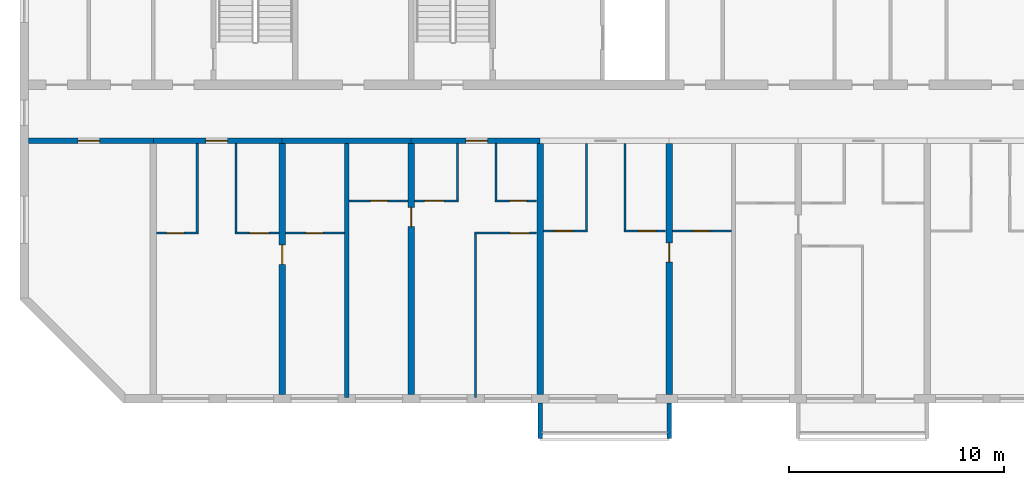
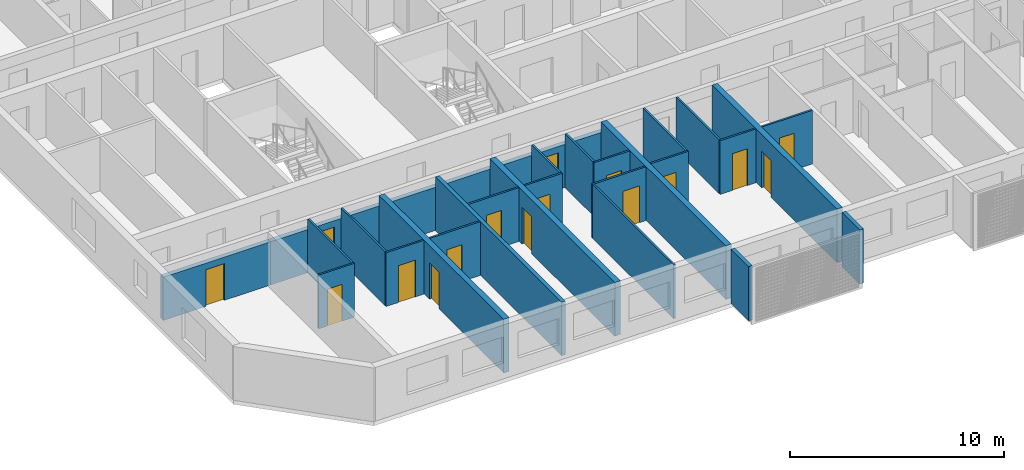
# One storey, part 2 of 32: 28 walls, 16 doors, 16 openings.
"""IFC4 building model written with IfcOpenShell, lengths in metres."""

import ifcopenshell
import ifcopenshell.guid

model = None  # the IFC model being written
_history = None  # IfcOwnerHistory: only IFC2X3 demands one
_inside = {}  # id of a spatial element -> (the spatial element, [elements in it])
_under = {}  # id of a project, library or spatial element -> (it, [spatial elements below it])
_declared = {}  # id of a project -> (the project, [libraries it declares])
_typed = {}  # id of a type object -> (the type object, [elements of that type])
_made_of = {}  # id of a material, layer set ... -> (it, [elements and type objects made of it])


def new_model(schema):
    """Start an empty IFC model of exactly this schema.

    Asked for "IFC4X3", IfcOpenShell would pick the latest addendum, in which some entities
    have other attributes; the version numbers below select the first issue.
    IFC2X3 requires an IfcOwnerHistory on every rooted entity: one is made here for all.
    """
    global model, _history
    if schema == "IFC4X3":
        model = ifcopenshell.file(schema_version=(4, 3, 0, 0))
    else:
        model = ifcopenshell.file(schema=schema)
    _inside.clear()
    _under.clear()
    _declared.clear()
    _typed.clear()
    _made_of.clear()
    _history = None
    if model.schema == "IFC2X3":
        org = make("IfcOrganization", Name="unknown")
        user = make(
            "IfcPersonAndOrganization",
            ThePerson=make("IfcPerson", FamilyName="unknown"),
            TheOrganization=org,
        )
        app = make(
            "IfcApplication",
            ApplicationDeveloper=org,
            Version="unknown",
            ApplicationFullName="unknown",
            ApplicationIdentifier="unknown",
        )
        _history = make(
            "IfcOwnerHistory",
            OwningUser=user,
            OwningApplication=app,
            ChangeAction="ADDED",
            CreationDate=0,
        )
    return model


def make(cls, **values):
    """One entity of the class cls with the attributes given. An attribute that is None is left unset."""
    return model.create_entity(
        cls, **{name: value for name, value in values.items() if value is not None}
    )


def rooted(cls, **values):
    """An entity with a GlobalId (a new one), such as an element, a storey or a relation."""
    return make(cls, GlobalId=ifcopenshell.guid.new(), OwnerHistory=_history, **values)


def si_unit(unit_type, name, prefix=None):
    """IfcSIUnit, for example si_unit("LENGTHUNIT", "METRE", prefix="MILLI")."""
    return make("IfcSIUnit", UnitType=unit_type, Prefix=prefix, Name=name)


def assignment(units):
    """IfcUnitAssignment: the units of a project."""
    return None if units is None else make("IfcUnitAssignment", Units=units)


def point(xyz):
    """IfcCartesianPoint."""
    return None if xyz is None else make("IfcCartesianPoint", Coordinates=xyz)


def direction(xyz):
    """IfcDirection."""
    return None if xyz is None else make("IfcDirection", DirectionRatios=xyz)


def frame(location, z_axis=None, x_axis=None):
    """IfcAxis2Placement3D, a coordinate frame: its origin and axes. An axis left out is left unset."""
    return make(
        "IfcAxis2Placement3D",
        Location=point(location),
        Axis=direction(z_axis),
        RefDirection=direction(x_axis),
    )


def frame_2d(location, x_axis=None):
    """IfcAxis2Placement2D, a coordinate frame in the plane: its origin and x axis."""
    return make(
        "IfcAxis2Placement2D", Location=point(location), RefDirection=direction(x_axis)
    )


def origin():
    """The frame at (0, 0, 0) with its axes left unset."""
    return frame((0.0, 0.0, 0.0))


def place(relative_to, where):
    """IfcLocalPlacement: puts the frame where relative to a parent placement (None: the world)."""
    return make(
        "IfcLocalPlacement", PlacementRelTo=relative_to, RelativePlacement=where
    )


def context(
    kind, dimensions, precision=None, world=None, true_north=None, identifier=None
):
    """IfcGeometricRepresentationContext, for example the 3D "Model" context."""
    return make(
        "IfcGeometricRepresentationContext",
        ContextIdentifier=identifier,
        ContextType=kind,
        CoordinateSpaceDimension=dimensions,
        Precision=precision,
        WorldCoordinateSystem=world,
        TrueNorth=true_north,
    )


def subcontext(parent, identifier, kind, view, scale=None):
    """IfcGeometricRepresentationSubContext, for example "Body" below "Model"."""
    return make(
        "IfcGeometricRepresentationSubContext",
        ContextIdentifier=identifier,
        ContextType=kind,
        ParentContext=parent,
        TargetScale=scale,
        TargetView=view,
    )


def project(units=None, contexts=None):
    """IfcProject with its units and contexts."""
    return rooted(
        "IfcProject",
        Name="project",
        RepresentationContexts=contexts,
        UnitsInContext=assignment(units),
    )


def spatial(cls, under=None, at=None, **own):
    """A site, building, storey or space (cls), placed at a placement, below another one or the project."""
    s = rooted(cls, ObjectPlacement=at, **own)
    if under is not None:
        _under.setdefault(under.id(), (under, []))[1].append(s)
    return s


def polyline(points):
    """IfcPolyline through the points."""
    return make("IfcPolyline", Points=[point(p) for p in points])


def profile(cls, at=None, kind="AREA", **sizes):
    """A parametric profile (cls). Its sizes go by their IFC names, for example OverallWidth=200.0."""
    return make(cls, ProfileType=kind, Position=at, **sizes)


def rectangle(**sizes):
    """IfcRectangleProfileDef."""
    return profile("IfcRectangleProfileDef", **sizes)


def outline(outer, holes=None, kind="AREA"):
    """IfcArbitraryClosedProfileDef: a profile drawn as a closed curve; with holes, ...WithVoids."""
    if holes is None:
        return make("IfcArbitraryClosedProfileDef", ProfileType=kind, OuterCurve=outer)
    return make(
        "IfcArbitraryProfileDefWithVoids",
        ProfileType=kind,
        OuterCurve=outer,
        InnerCurves=holes,
    )


def extrude(swept, where, along, depth):
    """IfcExtrudedAreaSolid: the profile swept, set in the frame where, extruded along a direction by depth."""
    return make(
        "IfcExtrudedAreaSolid",
        SweptArea=swept,
        Position=where,
        ExtrudedDirection=direction(along),
        Depth=depth,
    )


def shape(context_of_items, identifier, shape_type, items):
    """IfcShapeRepresentation: the items that make up one representation, for example the "Body"."""
    return make(
        "IfcShapeRepresentation",
        ContextOfItems=context_of_items,
        RepresentationIdentifier=identifier,
        RepresentationType=shape_type,
        Items=items,
    )


def source(mapping_origin, context_of_items, identifier, shape_type, items):
    """IfcRepresentationMap: a shape defined once, which mapped items show again and again."""
    return make(
        "IfcRepresentationMap",
        MappingOrigin=mapping_origin,
        MappedRepresentation=shape(context_of_items, identifier, shape_type, items),
    )


def transform(
    local_origin,
    x_axis=None,
    y_axis=None,
    z_axis=None,
    scale=None,
    scale2=None,
    scale3=None,
    uniform=True,
):
    """IfcCartesianTransformationOperator3D, or its non-uniform kind. x_axis, y_axis, z_axis: its Axis1, 2, 3."""
    if uniform:
        return make(
            "IfcCartesianTransformationOperator3D",
            Axis1=direction(x_axis),
            Axis2=direction(y_axis),
            LocalOrigin=point(local_origin),
            Scale=scale,
            Axis3=direction(z_axis),
        )
    return make(
        "IfcCartesianTransformationOperator3DnonUniform",
        Axis1=direction(x_axis),
        Axis2=direction(y_axis),
        LocalOrigin=point(local_origin),
        Scale=scale,
        Axis3=direction(z_axis),
        Scale2=scale2,
        Scale3=scale3,
    )


def mapped(mapping_source, mapping_target):
    """IfcMappedItem: shows the shape of a source again, moved by a transform."""
    return make(
        "IfcMappedItem", MappingSource=mapping_source, MappingTarget=mapping_target
    )


def material(Name=None, Category=None):
    """IfcMaterial."""
    return make("IfcMaterial", Name=Name, Category=Category)


def layer(
    of_material, thickness, ventilated=None, Name=None, Category=None, Priority=None
):
    """IfcMaterialLayer: one layer of a wall or slab, of a material (None: an air gap)."""
    return make(
        "IfcMaterialLayer",
        Material=of_material,
        LayerThickness=thickness,
        IsVentilated=ventilated,
        Name=Name,
        Category=Category,
        Priority=Priority,
    )


def layer_set(layers, Name=None):
    """IfcMaterialLayerSet."""
    return make("IfcMaterialLayerSet", MaterialLayers=layers, LayerSetName=Name)


def made_of(thing, what):
    """Note that an element or type object is made of a material, layer set ...; save() writes the relation."""
    if what is not None:
        _made_of.setdefault(what.id(), (what, []))[1].append(thing)
    return thing


def type_object(cls, material=None, **own):
    """A type object (cls), such as IfcWallType, which elements share."""
    return made_of(rooted(cls, **own), material)


def element(
    cls,
    number,
    at=None,
    inside=None,
    cuts=None,
    type_object=None,
    material=None,
    context=None,
    identifier="Body",
    shape_type=None,
    held_by="IfcProductDefinitionShape",
    body=None,
    shapes=None,
    **own,
):
    """One element of the class cls, such as IfcWall. Its Tag is "e" and its number.

    at: its placement. inside: the storey or other place that contains it. cuts: it is an
    opening in that element (IfcRelVoidsElement). A single representation is given by context,
    identifier, shape_type and body (its items); several are given by shapes. held_by: the class
    of the entity that holds the representations. save() writes the other relations.
    """
    e = rooted(cls, Tag="e%d" % number, ObjectPlacement=at, **own)
    if body is not None:
        shapes = [shape(context, identifier, shape_type, body)]
    if shapes is not None:
        e.Representation = make(held_by, Representations=shapes)
    if inside is not None:
        _inside.setdefault(inside.id(), (inside, []))[1].append(e)
    if cuts is not None:
        rooted(
            "IfcRelVoidsElement", RelatingBuildingElement=cuts, RelatedOpeningElement=e
        )
    if type_object is not None:
        _typed.setdefault(type_object.id(), (type_object, []))[1].append(e)
    return made_of(e, material)


def fill(opening, filler):
    """IfcRelFillsElement: the door or window that sits in an opening."""
    return rooted(
        "IfcRelFillsElement",
        RelatingOpeningElement=opening,
        RelatedBuildingElement=filler,
    )


def aggregate(whole, parts):
    """IfcRelAggregates: a whole, such as a stair, and the parts it consists of."""
    return rooted("IfcRelAggregates", RelatingObject=whole, RelatedObjects=parts)


def save(model, path):
    """Write the relations noted so far, then the file.

    IfcRelAggregates (storeys below a building ...), IfcRelContainedInSpatialStructure (elements
    in a storey), IfcRelDefinesByType, IfcRelAssociatesMaterial and IfcRelDeclares: one each for
    every whole, place, type object, material and project.
    """
    for whole, parts in _under.values():
        aggregate(whole, parts)
    for where, things in _inside.values():
        rooted(
            "IfcRelContainedInSpatialStructure",
            RelatedElements=things,
            RelatingStructure=where,
        )
    for kind, things in _typed.values():
        rooted("IfcRelDefinesByType", RelatedObjects=things, RelatingType=kind)
    for what, things in _made_of.values():
        rooted("IfcRelAssociatesMaterial", RelatedObjects=things, RelatingMaterial=what)
    for by, libraries in _declared.values():
        rooted("IfcRelDeclares", RelatingContext=by, RelatedDefinitions=libraries)
    model.write(path)


model = new_model("IFC4")

# Units and contexts
model_context = context("Model", 3, precision=1e-05, world=origin(), true_north=direction((0.0, 1.0)))
body_context = subcontext(model_context, "Body", "Model", "MODEL_VIEW")
ifc_project = project(units=[si_unit("LENGTHUNIT", "METRE"), si_unit("AREAUNIT", "SQUARE_METRE"), si_unit("VOLUMEUNIT", "CUBIC_METRE"), si_unit("PLANEANGLEUNIT", "RADIAN"), si_unit("MASSUNIT", "GRAM", prefix="KILO")], contexts=[model_context])

# Site, building, storey
site_placement = place(None, origin())
site = spatial("IfcSite", under=ifc_project, at=site_placement, CompositionType="ELEMENT")
building_placement = place(site_placement, origin())
building = spatial("IfcBuilding", under=site, at=building_placement, Name="Poui Terraces", CompositionType="ELEMENT")
storey_placement = place(building_placement, frame((0.0, 0.0, 122.39990234375)))
storey = spatial("IfcBuildingStorey", under=building, at=storey_placement, Name="L33", CompositionType="ELEMENT", Elevation=122.39990234375)

# Wall, opening, door
ifc_material_1 = material(Name="Concrete 65 MPa", Category="concrete")
ifc_layer_1 = layer(ifc_material_1, 0.25)
ifc_layer_set_1 = layer_set([ifc_layer_1], Name="Concrete 65 MPa")
wall_type_1 = type_object("IfcWallType", Name="CORRIDOR WALL 250 65MPa", PredefinedType="SHEAR", material=ifc_layer_set_1)
wall_1_placement = place(storey_placement, frame((12.199951171875, 12.0, 0.0), z_axis=(0.0, 0.0, 1.0), x_axis=(1.0, 0.0, 0.0)))
wall_1 = element("IfcWall", 1, at=wall_1_placement, inside=storey, type_object=wall_type_1, Name="CORRIDOR WALL LINE B BAY 1", PredefinedType="SHEAR", context=body_context, shape_type="SweptSolid", body=[
    extrude(rectangle(XDim=5.800048828125, YDim=0.25, at=frame_2d((2.89990234375, 0.0))), origin(), (0.0, 0.0, 1.0), 2.47021484375),
])
opening_1_placement = place(wall_1_placement, frame((2.300048828125, 0.0, 0.0)))
opening_1 = element("IfcOpeningElement", 2, at=opening_1_placement, cuts=wall_1, Name="Opening D100", PredefinedType="OPENING", context=body_context, shape_type="SweptSolid", body=[
    extrude(rectangle(XDim=1.0, YDim=2.10009765625, at=frame_2d((0.5, 1.050048828125))), frame((0.0, 0.135009765625, 0.0), z_axis=(0.0, -1.0, 0.0), x_axis=(1.0, 0.0, 0.0)), (0.0, 0.0, 1.0), 0.27001953125),
])
ifc_material_2 = material(Name="Solid core timber door", Category="wood")
door_type_1 = type_object("IfcDoorType", Name="ACCESSIBLE INTERNAL DOOR 1000 X 2100", OperationType="NOTDEFINED", PredefinedType="DOOR", material=ifc_material_2)
door_1_placement = place(opening_1_placement, frame((1.0, 0.0, 0.0), z_axis=(0.0, 0.0, 1.0), x_axis=(-1.0, 0.0, 0.0)))
door_1 = element("IfcDoor", 3, at=door_1_placement, inside=storey, type_object=door_type_1, Name="ACCESSIBLE INTERNAL DOOR 078", OperationType="SINGLE_SWING_RIGHT", OverallHeight=2.10009765625, OverallWidth=1.0, PredefinedType="DOOR", context=body_context, shape_type="SweptSolid", body=[
    extrude(rectangle(XDim=1.0, YDim=2.10009765625, at=frame_2d((0.5, 1.050048828125))), frame((0.0, 0.02490234375, 0.0), z_axis=(0.0, -1.0, 0.0), x_axis=(1.0, 0.0, 0.0)), (0.0, 0.0, 1.0), 0.050048828125),
])
fill(opening_1, door_1)

wall_2_placement = place(storey_placement, frame((18.0, 12.0, 0.0), z_axis=(0.0, 0.0, 1.0), x_axis=(1.0, 0.0, 0.0)))
wall_2 = element("IfcWall", 4, at=wall_2_placement, inside=storey, type_object=wall_type_1, Name="CORRIDOR WALL LINE B BAY 2", PredefinedType="SHEAR", context=body_context, shape_type="SweptSolid", body=[
    extrude(rectangle(XDim=6.0, YDim=0.25, at=frame_2d((3.0, 0.0))), origin(), (0.0, 0.0, 1.0), 2.47021484375),
])
opening_2_placement = place(wall_2_placement, frame((2.449951171875, 0.0, 0.0)))
opening_2 = element("IfcOpeningElement", 5, at=opening_2_placement, cuts=wall_2, Name="Opening FD30S", PredefinedType="OPENING", context=body_context, shape_type="SweptSolid", body=[
    extrude(rectangle(XDim=1.0, YDim=2.10009765625, at=frame_2d((0.5, 1.050048828125))), frame((0.0, 0.135009765625, 0.0), z_axis=(0.0, -1.0, 0.0), x_axis=(1.0, 0.0, 0.0)), (0.0, 0.0, 1.0), 0.27001953125),
])
ifc_material_3 = material(Name="Steel fire door", Category="steel")
door_type_2 = type_object("IfcDoorType", Name="FLAT ENTRANCE DOOR 1000 X 2100", OperationType="NOTDEFINED", PredefinedType="DOOR", material=ifc_material_3)
door_2_placement = place(opening_2_placement, frame((1.0, 0.0, 0.0), z_axis=(0.0, 0.0, 1.0), x_axis=(-1.0, 0.0, 0.0)))
door_2 = element("IfcDoor", 6, at=door_2_placement, inside=storey, type_object=door_type_2, Name="FLAT ENTRANCE DOOR 081", OperationType="SINGLE_SWING_RIGHT", OverallHeight=2.10009765625, OverallWidth=1.0, PredefinedType="DOOR", context=body_context, shape_type="SweptSolid", body=[
    extrude(rectangle(XDim=1.0, YDim=2.10009765625, at=frame_2d((0.5, 1.050048828125))), frame((0.0, 0.02490234375, 0.0), z_axis=(0.0, -1.0, 0.0), x_axis=(1.0, 0.0, 0.0)), (0.0, 0.0, 1.0), 0.050048828125),
])
fill(opening_2, door_2)

# Wall
wall_3_placement = place(storey_placement, frame((24.0, 12.0, 0.0), z_axis=(0.0, 0.0, 1.0), x_axis=(1.0, 0.0, 0.0)))
element("IfcWall", 7, at=wall_3_placement, inside=storey, type_object=wall_type_1, Name="CORRIDOR WALL LINE B BAY 3", PredefinedType="SHEAR", context=body_context, shape_type="SweptSolid", body=[
    extrude(rectangle(XDim=6.0, YDim=0.25, at=frame_2d((3.0, 0.0))), origin(), (0.0, 0.0, 1.0), 2.47021484375),
])

# Wall, opening, door
wall_4_placement = place(storey_placement, frame((30.0, 12.0, 0.0), z_axis=(0.0, 0.0, 1.0), x_axis=(1.0, 0.0, 0.0)))
wall_4 = element("IfcWall", 8, at=wall_4_placement, inside=storey, type_object=wall_type_1, Name="CORRIDOR WALL LINE B BAY 4", PredefinedType="SHEAR", context=body_context, shape_type="SweptSolid", body=[
    extrude(rectangle(XDim=6.0, YDim=0.25, at=frame_2d((3.0, 0.0))), origin(), (0.0, 0.0, 1.0), 2.47021484375),
])
opening_3_placement = place(wall_4_placement, frame((2.550048828125, 0.0, 0.0)))
opening_3 = element("IfcOpeningElement", 9, at=opening_3_placement, cuts=wall_4, Name="Opening FD30S", PredefinedType="OPENING", context=body_context, shape_type="SweptSolid", body=[
    extrude(rectangle(XDim=1.0, YDim=2.10009765625, at=frame_2d((0.5, 1.050048828125))), frame((0.0, 0.135009765625, 0.0), z_axis=(0.0, -1.0, 0.0), x_axis=(1.0, 0.0, 0.0)), (0.0, 0.0, 1.0), 0.27001953125),
])
door_3_placement = place(opening_3_placement, frame((1.0, 0.0, 0.0), z_axis=(0.0, 0.0, 1.0), x_axis=(-1.0, 0.0, 0.0)))
door_3 = element("IfcDoor", 10, at=door_3_placement, inside=storey, type_object=door_type_2, Name="FLAT ENTRANCE DOOR 087", OperationType="SINGLE_SWING_LEFT", OverallHeight=2.10009765625, OverallWidth=1.0, PredefinedType="DOOR", context=body_context, shape_type="SweptSolid", body=[
    extrude(rectangle(XDim=1.0, YDim=2.10009765625, at=frame_2d((0.5, 1.050048828125))), frame((0.0, 0.02490234375, 0.0), z_axis=(0.0, -1.0, 0.0), x_axis=(1.0, 0.0, 0.0)), (0.0, 0.0, 1.0), 0.050048828125),
])
fill(opening_3, door_3)

ifc_layer_2 = layer(ifc_material_1, 0.300048828125)
ifc_layer_set_2 = layer_set([ifc_layer_2], Name="Concrete 65 MPa")
wall_type_2 = type_object("IfcWallType", Name="CROSS WALL 300 65MPa", PredefinedType="SHEAR", material=ifc_layer_set_2)
wall_5_placement = place(storey_placement, frame((24.0, 0.199951171875, 0.0), z_axis=(0.0, 0.0, 1.0), x_axis=(0.0, 1.0, 0.0)))
wall_5 = element("IfcWall", 11, at=wall_5_placement, inside=storey, type_object=wall_type_2, Name="CROSS WALL LINE 5 SOUTH", PredefinedType="SHEAR", context=body_context, shape_type="SweptSolid", body=[
    extrude(rectangle(XDim=11.675048828125, YDim=0.300048828125, at=frame_2d((5.83740234375, 0.0))), origin(), (0.0, 0.0, 1.0), 3.070068359375),
])
opening_4_placement = place(wall_5_placement, frame((6.050048828125, 0.0, 0.0)))
opening_4 = element("IfcOpeningElement", 12, at=opening_4_placement, cuts=wall_5, Name="Opening D90", PredefinedType="OPENING", context=body_context, shape_type="SweptSolid", body=[
    extrude(rectangle(XDim=0.89990234375, YDim=2.10009765625, at=frame_2d((0.449951171875, 1.050048828125))), frame((0.0, 0.16015625, 0.0), z_axis=(0.0, -1.0, 0.0), x_axis=(1.0, 0.0, 0.0)), (0.0, 0.0, 1.0), 0.320068359375),
])
door_type_3 = type_object("IfcDoorType", Name="INTERNAL DOOR 900 X 2100", OperationType="NOTDEFINED", PredefinedType="DOOR", material=ifc_material_2)
door_4_placement = place(opening_4_placement, frame((0.89990234375, 0.0, 0.0), z_axis=(0.0, 0.0, 1.0), x_axis=(-1.0, 0.0, 0.0)))
door_4 = element("IfcDoor", 13, at=door_4_placement, inside=storey, type_object=door_type_3, Name="INTERNAL DOOR 083", OperationType="SINGLE_SWING_LEFT", OverallHeight=2.10009765625, OverallWidth=0.89990234375, PredefinedType="DOOR", context=body_context, shape_type="SweptSolid", body=[
    extrude(rectangle(XDim=0.89990234375, YDim=2.10009765625, at=frame_2d((0.449951171875, 1.050048828125))), frame((0.0, 0.02490234375, 0.0), z_axis=(0.0, -1.0, 0.0), x_axis=(1.0, 0.0, 0.0)), (0.0, 0.0, 1.0), 0.050048828125),
])
fill(opening_4, door_4)

wall_6_placement = place(storey_placement, frame((30.0, 0.199951171875, 0.0), z_axis=(0.0, 0.0, 1.0), x_axis=(0.0, 1.0, 0.0)))
wall_6 = element("IfcWall", 14, at=wall_6_placement, inside=storey, type_object=wall_type_2, Name="CROSS WALL LINE 6 SOUTH", PredefinedType="SHEAR", context=body_context, shape_type="SweptSolid", body=[
    extrude(rectangle(XDim=11.675048828125, YDim=0.300048828125, at=frame_2d((5.83740234375, 0.0))), origin(), (0.0, 0.0, 1.0), 3.070068359375),
])
opening_5_placement = place(wall_6_placement, frame((7.800048828125, 0.0, 0.0)))
opening_5 = element("IfcOpeningElement", 15, at=opening_5_placement, cuts=wall_6, Name="Opening D90", PredefinedType="OPENING", context=body_context, shape_type="SweptSolid", body=[
    extrude(rectangle(XDim=0.89990234375, YDim=2.10009765625, at=frame_2d((0.449951171875, 1.050048828125))), frame((0.0, 0.16015625, 0.0), z_axis=(0.0, -1.0, 0.0), x_axis=(1.0, 0.0, 0.0)), (0.0, 0.0, 1.0), 0.320068359375),
])
door_5_placement = place(opening_5_placement, origin())
door_5 = element("IfcDoor", 16, at=door_5_placement, inside=storey, type_object=door_type_3, Name="INTERNAL DOOR 085", OperationType="SINGLE_SWING_RIGHT", OverallHeight=2.10009765625, OverallWidth=0.89990234375, PredefinedType="DOOR", context=body_context, shape_type="SweptSolid", body=[
    extrude(rectangle(XDim=0.89990234375, YDim=2.10009765625, at=frame_2d((0.449951171875, 1.050048828125))), frame((0.0, 0.02490234375, 0.0), z_axis=(0.0, -1.0, 0.0), x_axis=(1.0, 0.0, 0.0)), (0.0, 0.0, 1.0), 0.050048828125),
])
fill(opening_5, door_5)

# Wall
wall_7_placement = place(storey_placement, frame((36.0, 0.199951171875, 0.0), z_axis=(0.0, 0.0, 1.0), x_axis=(0.0, 1.0, 0.0)))
element("IfcWall", 17, at=wall_7_placement, inside=storey, type_object=wall_type_2, Name="CROSS WALL LINE 7 SOUTH", PredefinedType="SHEAR", context=body_context, shape_type="SweptSolid", body=[
    extrude(rectangle(XDim=11.675048828125, YDim=0.300048828125, at=frame_2d((5.83740234375, 0.0))), origin(), (0.0, 0.0, 1.0), 3.070068359375),
])

# Wall, opening, door
wall_8_placement = place(storey_placement, frame((42.0, 0.199951171875, 0.0), z_axis=(0.0, 0.0, 1.0), x_axis=(0.0, 1.0, 0.0)))
wall_8 = element("IfcWall", 18, at=wall_8_placement, inside=storey, type_object=wall_type_2, Name="CROSS WALL LINE 8 SOUTH", PredefinedType="SHEAR", context=body_context, shape_type="SweptSolid", body=[
    extrude(rectangle(XDim=11.675048828125, YDim=0.300048828125, at=frame_2d((5.83740234375, 0.0))), origin(), (0.0, 0.0, 1.0), 3.070068359375),
])
opening_6_placement = place(wall_8_placement, frame((6.14990234375, 0.0, 0.0)))
opening_6 = element("IfcOpeningElement", 19, at=opening_6_placement, cuts=wall_8, Name="Opening D90", PredefinedType="OPENING", context=body_context, shape_type="SweptSolid", body=[
    extrude(rectangle(XDim=0.89990234375, YDim=2.10009765625, at=frame_2d((0.449951171875, 1.050048828125))), frame((0.0, 0.16015625, 0.0), z_axis=(0.0, -1.0, 0.0), x_axis=(1.0, 0.0, 0.0)), (0.0, 0.0, 1.0), 0.320068359375),
])
door_6_placement = place(opening_6_placement, frame((0.89990234375, 0.0, 0.0), z_axis=(0.0, 0.0, 1.0), x_axis=(-1.0, 0.0, 0.0)))
door_6 = element("IfcDoor", 20, at=door_6_placement, inside=storey, type_object=door_type_3, Name="INTERNAL DOOR 094", OperationType="SINGLE_SWING_LEFT", OverallHeight=2.10009765625, OverallWidth=0.89990234375, PredefinedType="DOOR", context=body_context, shape_type="SweptSolid", body=[
    extrude(rectangle(XDim=0.89990234375, YDim=2.10009765625, at=frame_2d((0.449951171875, 1.050048828125))), frame((0.0, 0.02490234375, 0.0), z_axis=(0.0, -1.0, 0.0), x_axis=(1.0, 0.0, 0.0)), (0.0, 0.0, 1.0), 0.050048828125),
])
fill(opening_6, door_6)

ifc_material_4 = material(Name="Plasterboard partition")
ifc_layer_3 = layer(ifc_material_4, 0.10009765625)
ifc_layer_set_3 = layer_set([ifc_layer_3], Name="Plasterboard partition")
wall_type_3 = type_object("IfcWallType", Name="FLAT PARTITION 100", PredefinedType="PARTITIONING", material=ifc_layer_set_3)
wall_9_placement = place(storey_placement, frame((18.159912109375, 7.699951171875, 0.0), z_axis=(0.0, 0.0, 1.0), x_axis=(1.0, 0.0, 0.0)))
wall_9 = element("IfcWall", 21, at=wall_9_placement, inside=storey, type_object=wall_type_3, Name="FLAT PARTITION 100", PredefinedType="PARTITIONING", context=body_context, shape_type="SweptSolid", body=[
    extrude(rectangle(XDim=1.940185546875, YDim=0.10009765625, at=frame_2d((0.97021484375, 0.0))), origin(), (0.0, 0.0, 1.0), 3.070068359375),
])
opening_7_placement = place(wall_9_placement, frame((0.465087890625, 0.0, 0.0)))
opening_7 = element("IfcOpeningElement", 22, at=opening_7_placement, cuts=wall_9, Name="Opening D80", PredefinedType="OPENING", context=body_context, shape_type="SweptSolid", body=[
    extrude(rectangle(XDim=0.800048828125, YDim=2.10009765625, at=frame_2d((0.39990234375, 1.050048828125))), frame((0.0, 0.06005859375, 0.0), z_axis=(0.0, -1.0, 0.0), x_axis=(1.0, 0.0, 0.0)), (0.0, 0.0, 1.0), 0.1201171875),
])
door_type_4 = type_object("IfcDoorType", Name="BATHROOM, LAUNDRY AND STORE DOOR 800 X 2100", OperationType="NOTDEFINED", PredefinedType="DOOR", material=ifc_material_2)
door_7_placement = place(opening_7_placement, origin())
door_7 = element("IfcDoor", 23, at=door_7_placement, inside=storey, type_object=door_type_4, Name="BATHROOM, LAUNDRY AND STORE DOOR 080", OperationType="SINGLE_SWING_LEFT", OverallHeight=2.10009765625, OverallWidth=0.800048828125, PredefinedType="DOOR", context=body_context, shape_type="SweptSolid", body=[
    extrude(rectangle(XDim=0.800048828125, YDim=2.10009765625, at=frame_2d((0.39990234375, 1.050048828125))), frame((0.0, 0.02490234375, 0.0), z_axis=(0.0, -1.0, 0.0), x_axis=(1.0, 0.0, 0.0)), (0.0, 0.0, 1.0), 0.050048828125),
])
fill(opening_7, door_7)

wall_10_placement = place(storey_placement, frame((21.800048828125, 7.699951171875, 0.0), z_axis=(0.0, 0.0, 1.0), x_axis=(1.0, 0.0, 0.0)))
wall_10 = element("IfcWall", 24, at=wall_10_placement, inside=storey, type_object=wall_type_3, Name="FLAT PARTITION 100", PredefinedType="PARTITIONING", context=body_context, shape_type="SweptSolid", body=[
    extrude(rectangle(XDim=2.0400390625, YDim=0.10009765625, at=frame_2d((1.02001953125, 0.0))), origin(), (0.0, 0.0, 1.0), 3.070068359375),
])
opening_8_placement = place(wall_10_placement, frame((0.675048828125, 0.0, 0.0)))
opening_8 = element("IfcOpeningElement", 25, at=opening_8_placement, cuts=wall_10, Name="Opening D90", PredefinedType="OPENING", context=body_context, shape_type="SweptSolid", body=[
    extrude(rectangle(XDim=0.89990234375, YDim=2.10009765625, at=frame_2d((0.449951171875, 1.050048828125))), frame((0.0, 0.06005859375, 0.0), z_axis=(0.0, -1.0, 0.0), x_axis=(1.0, 0.0, 0.0)), (0.0, 0.0, 1.0), 0.1201171875),
])
door_8_placement = place(opening_8_placement, origin())
door_8 = element("IfcDoor", 26, at=door_8_placement, inside=storey, type_object=door_type_3, Name="INTERNAL DOOR 082", OperationType="SINGLE_SWING_RIGHT", OverallHeight=2.10009765625, OverallWidth=0.89990234375, PredefinedType="DOOR", context=body_context, shape_type="SweptSolid", body=[
    extrude(rectangle(XDim=0.89990234375, YDim=2.10009765625, at=frame_2d((0.449951171875, 1.050048828125))), frame((0.0, 0.02490234375, 0.0), z_axis=(0.0, -1.0, 0.0), x_axis=(1.0, 0.0, 0.0)), (0.0, 0.0, 1.0), 0.050048828125),
])
fill(opening_8, door_8)

wall_11_placement = place(storey_placement, frame((24.159912109375, 7.699951171875, 0.0), z_axis=(0.0, 0.0, 1.0), x_axis=(1.0, 0.0, 0.0)))
wall_11 = element("IfcWall", 27, at=wall_11_placement, inside=storey, type_object=wall_type_3, Name="FLAT PARTITION 100", PredefinedType="PARTITIONING", context=body_context, shape_type="SweptSolid", body=[
    extrude(rectangle(XDim=2.739990234375, YDim=0.10009765625, at=frame_2d((1.3701171875, 0.0))), origin(), (0.0, 0.0, 1.0), 3.070068359375),
])
opening_9_placement = place(wall_11_placement, frame((0.93994140625, 0.0, 0.0)))
opening_9 = element("IfcOpeningElement", 28, at=opening_9_placement, cuts=wall_11, Name="Opening D80", PredefinedType="OPENING", context=body_context, shape_type="SweptSolid", body=[
    extrude(rectangle(XDim=0.800048828125, YDim=2.10009765625, at=frame_2d((0.39990234375, 1.050048828125))), frame((0.0, 0.06005859375, 0.0), z_axis=(0.0, -1.0, 0.0), x_axis=(1.0, 0.0, 0.0)), (0.0, 0.0, 1.0), 0.1201171875),
])
door_9_placement = place(opening_9_placement, origin())
door_9 = element("IfcDoor", 29, at=door_9_placement, inside=storey, type_object=door_type_4, Name="BATHROOM, LAUNDRY AND STORE DOOR 079", OperationType="SINGLE_SWING_RIGHT", OverallHeight=2.10009765625, OverallWidth=0.800048828125, PredefinedType="DOOR", context=body_context, shape_type="SweptSolid", body=[
    extrude(rectangle(XDim=0.800048828125, YDim=2.10009765625, at=frame_2d((0.39990234375, 1.050048828125))), frame((0.0, 0.02490234375, 0.0), z_axis=(0.0, -1.0, 0.0), x_axis=(1.0, 0.0, 0.0)), (0.0, 0.0, 1.0), 0.050048828125),
])
fill(opening_9, door_9)

wall_12_placement = place(storey_placement, frame((32.949951171875, 7.699951171875, 0.0), z_axis=(0.0, 0.0, 1.0), x_axis=(1.0, 0.0, 0.0)))
wall_12 = element("IfcWall", 30, at=wall_12_placement, inside=storey, type_object=wall_type_3, Name="FLAT PARTITION 100", PredefinedType="PARTITIONING", context=body_context, shape_type="SweptSolid", body=[
    extrude(rectangle(XDim=2.89013671875, YDim=0.10009765625, at=frame_2d((1.445068359375, 0.0))), origin(), (0.0, 0.0, 1.0), 3.070068359375),
])
opening_10_placement = place(wall_12_placement, frame((1.64990234375, 0.0, 0.0)))
opening_10 = element("IfcOpeningElement", 31, at=opening_10_placement, cuts=wall_12, Name="Opening D90", PredefinedType="OPENING", context=body_context, shape_type="SweptSolid", body=[
    extrude(rectangle(XDim=0.89990234375, YDim=2.10009765625, at=frame_2d((0.449951171875, 1.050048828125))), frame((0.0, 0.06005859375, 0.0), z_axis=(0.0, -1.0, 0.0), x_axis=(1.0, 0.0, 0.0)), (0.0, 0.0, 1.0), 0.1201171875),
])
door_10_placement = place(opening_10_placement, origin())
door_10 = element("IfcDoor", 32, at=door_10_placement, inside=storey, type_object=door_type_3, Name="INTERNAL DOOR 089", OperationType="SINGLE_SWING_LEFT", OverallHeight=2.10009765625, OverallWidth=0.89990234375, PredefinedType="DOOR", context=body_context, shape_type="SweptSolid", body=[
    extrude(rectangle(XDim=0.89990234375, YDim=2.10009765625, at=frame_2d((0.449951171875, 1.050048828125))), frame((0.0, 0.02490234375, 0.0), z_axis=(0.0, -1.0, 0.0), x_axis=(1.0, 0.0, 0.0)), (0.0, 0.0, 1.0), 0.050048828125),
])
fill(opening_10, door_10)

wall_13_placement = place(storey_placement, frame((36.159912109375, 7.800048828125, 0.0), z_axis=(0.0, 0.0, 1.0), x_axis=(1.0, 0.0, 0.0)))
wall_13 = element("IfcWall", 33, at=wall_13_placement, inside=storey, type_object=wall_type_3, Name="FLAT PARTITION 100", PredefinedType="PARTITIONING", context=body_context, shape_type="SweptSolid", body=[
    extrude(rectangle(XDim=2.0400390625, YDim=0.10009765625, at=frame_2d((1.02001953125, 0.0))), origin(), (0.0, 0.0, 1.0), 3.070068359375),
])
opening_11_placement = place(wall_13_placement, frame((0.465087890625, 0.0, 0.0)))
opening_11 = element("IfcOpeningElement", 34, at=opening_11_placement, cuts=wall_13, Name="Opening D90", PredefinedType="OPENING", context=body_context, shape_type="SweptSolid", body=[
    extrude(rectangle(XDim=0.89990234375, YDim=2.10009765625, at=frame_2d((0.449951171875, 1.050048828125))), frame((0.0, 0.06005859375, 0.0), z_axis=(0.0, -1.0, 0.0), x_axis=(1.0, 0.0, 0.0)), (0.0, 0.0, 1.0), 0.1201171875),
])
door_11_placement = place(opening_11_placement, origin())
door_11 = element("IfcDoor", 35, at=door_11_placement, inside=storey, type_object=door_type_3, Name="INTERNAL DOOR 091", OperationType="SINGLE_SWING_LEFT", OverallHeight=2.10009765625, OverallWidth=0.89990234375, PredefinedType="DOOR", context=body_context, shape_type="SweptSolid", body=[
    extrude(rectangle(XDim=0.89990234375, YDim=2.10009765625, at=frame_2d((0.449951171875, 1.050048828125))), frame((0.0, 0.02490234375, 0.0), z_axis=(0.0, -1.0, 0.0), x_axis=(1.0, 0.0, 0.0)), (0.0, 0.0, 1.0), 0.050048828125),
])
fill(opening_11, door_11)

wall_14_placement = place(storey_placement, frame((39.89990234375, 7.800048828125, 0.0), z_axis=(0.0, 0.0, 1.0), x_axis=(1.0, 0.0, 0.0)))
wall_14 = element("IfcWall", 36, at=wall_14_placement, inside=storey, type_object=wall_type_3, Name="FLAT PARTITION 100", PredefinedType="PARTITIONING", context=body_context, shape_type="SweptSolid", body=[
    extrude(rectangle(XDim=1.940185546875, YDim=0.10009765625, at=frame_2d((0.97021484375, 0.0))), origin(), (0.0, 0.0, 1.0), 3.070068359375),
])
opening_12_placement = place(wall_14_placement, frame((0.675048828125, 0.0, 0.0)))
opening_12 = element("IfcOpeningElement", 37, at=opening_12_placement, cuts=wall_14, Name="Opening D80", PredefinedType="OPENING", context=body_context, shape_type="SweptSolid", body=[
    extrude(rectangle(XDim=0.800048828125, YDim=2.10009765625, at=frame_2d((0.39990234375, 1.050048828125))), frame((0.0, 0.06005859375, 0.0), z_axis=(0.0, -1.0, 0.0), x_axis=(1.0, 0.0, 0.0)), (0.0, 0.0, 1.0), 0.1201171875),
])
door_12_placement = place(opening_12_placement, origin())
door_12 = element("IfcDoor", 38, at=door_12_placement, inside=storey, type_object=door_type_4, Name="BATHROOM, LAUNDRY AND STORE DOOR 093", OperationType="SINGLE_SWING_RIGHT", OverallHeight=2.10009765625, OverallWidth=0.800048828125, PredefinedType="DOOR", context=body_context, shape_type="SweptSolid", body=[
    extrude(rectangle(XDim=0.800048828125, YDim=2.10009765625, at=frame_2d((0.39990234375, 1.050048828125))), frame((0.0, 0.02490234375, 0.0), z_axis=(0.0, -1.0, 0.0), x_axis=(1.0, 0.0, 0.0)), (0.0, 0.0, 1.0), 0.050048828125),
])
fill(opening_12, door_12)

wall_15_placement = place(storey_placement, frame((42.159912109375, 7.800048828125, 0.0), z_axis=(0.0, 0.0, 1.0), x_axis=(1.0, 0.0, 0.0)))
wall_15 = element("IfcWall", 39, at=wall_15_placement, inside=storey, type_object=wall_type_3, Name="FLAT PARTITION 100", PredefinedType="PARTITIONING", context=body_context, shape_type="SweptSolid", body=[
    extrude(rectangle(XDim=2.739990234375, YDim=0.10009765625, at=frame_2d((1.3701171875, 0.0))), origin(), (0.0, 0.0, 1.0), 3.070068359375),
])
opening_13_placement = place(wall_15_placement, frame((0.93994140625, 0.0, 0.0)))
opening_13 = element("IfcOpeningElement", 40, at=opening_13_placement, cuts=wall_15, Name="Opening D80", PredefinedType="OPENING", context=body_context, shape_type="SweptSolid", body=[
    extrude(rectangle(XDim=0.800048828125, YDim=2.10009765625, at=frame_2d((0.39990234375, 1.050048828125))), frame((0.0, 0.06005859375, 0.0), z_axis=(0.0, -1.0, 0.0), x_axis=(1.0, 0.0, 0.0)), (0.0, 0.0, 1.0), 0.1201171875),
])
door_13_placement = place(opening_13_placement, origin())
door_13 = element("IfcDoor", 41, at=door_13_placement, inside=storey, type_object=door_type_4, Name="BATHROOM, LAUNDRY AND STORE DOOR 090", OperationType="SINGLE_SWING_RIGHT", OverallHeight=2.10009765625, OverallWidth=0.800048828125, PredefinedType="DOOR", context=body_context, shape_type="SweptSolid", body=[
    extrude(rectangle(XDim=0.800048828125, YDim=2.10009765625, at=frame_2d((0.39990234375, 1.050048828125))), frame((0.0, 0.02490234375, 0.0), z_axis=(0.0, -1.0, 0.0), x_axis=(1.0, 0.0, 0.0)), (0.0, 0.0, 1.0), 0.050048828125),
])
fill(opening_13, door_13)

wall_16_placement = place(storey_placement, frame((27.10009765625, 9.199951171875, 0.0), z_axis=(0.0, 0.0, 1.0), x_axis=(1.0, 0.0, 0.0)))
wall_16 = element("IfcWall", 42, at=wall_16_placement, inside=storey, type_object=wall_type_3, Name="FLAT PARTITION 100", PredefinedType="PARTITIONING", context=body_context, shape_type="SweptSolid", body=[
    extrude(rectangle(XDim=2.739990234375, YDim=0.10009765625, at=frame_2d((1.3701171875, 0.0))), origin(), (0.0, 0.0, 1.0), 3.070068359375),
])
opening_14_placement = place(wall_16_placement, frame((1.0, 0.0, 0.0)))
opening_14 = element("IfcOpeningElement", 43, at=opening_14_placement, cuts=wall_16, Name="Opening D80", PredefinedType="OPENING", context=body_context, shape_type="SweptSolid", body=[
    extrude(rectangle(XDim=0.800048828125, YDim=2.10009765625, at=frame_2d((0.39990234375, 1.050048828125))), frame((0.0, 0.06005859375, 0.0), z_axis=(0.0, -1.0, 0.0), x_axis=(1.0, 0.0, 0.0)), (0.0, 0.0, 1.0), 0.1201171875),
])
door_14_placement = place(opening_14_placement, origin())
door_14 = element("IfcDoor", 44, at=door_14_placement, inside=storey, type_object=door_type_4, Name="BATHROOM, LAUNDRY AND STORE DOOR 084", OperationType="SINGLE_SWING_LEFT", OverallHeight=2.10009765625, OverallWidth=0.800048828125, PredefinedType="DOOR", context=body_context, shape_type="SweptSolid", body=[
    extrude(rectangle(XDim=0.800048828125, YDim=2.10009765625, at=frame_2d((0.39990234375, 1.050048828125))), frame((0.0, 0.02490234375, 0.0), z_axis=(0.0, -1.0, 0.0), x_axis=(1.0, 0.0, 0.0)), (0.0, 0.0, 1.0), 0.050048828125),
])
fill(opening_14, door_14)

wall_17_placement = place(storey_placement, frame((30.159912109375, 9.199951171875, 0.0), z_axis=(0.0, 0.0, 1.0), x_axis=(1.0, 0.0, 0.0)))
wall_17 = element("IfcWall", 45, at=wall_17_placement, inside=storey, type_object=wall_type_3, Name="FLAT PARTITION 100", PredefinedType="PARTITIONING", context=body_context, shape_type="SweptSolid", body=[
    extrude(rectangle(XDim=2.0400390625, YDim=0.10009765625, at=frame_2d((1.02001953125, 0.0))), origin(), (0.0, 0.0, 1.0), 3.070068359375),
])
opening_15_placement = place(wall_17_placement, frame((0.465087890625, 0.0, 0.0)))
opening_15 = element("IfcOpeningElement", 46, at=opening_15_placement, cuts=wall_17, Name="Opening D90", PredefinedType="OPENING", context=body_context, shape_type="SweptSolid", body=[
    extrude(rectangle(XDim=0.89990234375, YDim=2.10009765625, at=frame_2d((0.449951171875, 1.050048828125))), frame((0.0, 0.06005859375, 0.0), z_axis=(0.0, -1.0, 0.0), x_axis=(1.0, 0.0, 0.0)), (0.0, 0.0, 1.0), 0.1201171875),
])
door_15_placement = place(opening_15_placement, origin())
door_15 = element("IfcDoor", 47, at=door_15_placement, inside=storey, type_object=door_type_3, Name="INTERNAL DOOR 086", OperationType="SINGLE_SWING_LEFT", OverallHeight=2.10009765625, OverallWidth=0.89990234375, PredefinedType="DOOR", context=body_context, shape_type="SweptSolid", body=[
    extrude(rectangle(XDim=0.89990234375, YDim=2.10009765625, at=frame_2d((0.449951171875, 1.050048828125))), frame((0.0, 0.02490234375, 0.0), z_axis=(0.0, -1.0, 0.0), x_axis=(1.0, 0.0, 0.0)), (0.0, 0.0, 1.0), 0.050048828125),
])
fill(opening_15, door_15)

wall_18_placement = place(storey_placement, frame((33.89990234375, 9.199951171875, 0.0), z_axis=(0.0, 0.0, 1.0), x_axis=(1.0, 0.0, 0.0)))
wall_18 = element("IfcWall", 48, at=wall_18_placement, inside=storey, type_object=wall_type_3, Name="FLAT PARTITION 100", PredefinedType="PARTITIONING", context=body_context, shape_type="SweptSolid", body=[
    extrude(rectangle(XDim=1.940185546875, YDim=0.10009765625, at=frame_2d((0.97021484375, 0.0))), origin(), (0.0, 0.0, 1.0), 3.070068359375),
])
opening_16_placement = place(wall_18_placement, frame((0.675048828125, 0.0, 0.0)))
opening_16 = element("IfcOpeningElement", 49, at=opening_16_placement, cuts=wall_18, Name="Opening D80", PredefinedType="OPENING", context=body_context, shape_type="SweptSolid", body=[
    extrude(rectangle(XDim=0.800048828125, YDim=2.10009765625, at=frame_2d((0.39990234375, 1.050048828125))), frame((0.0, 0.06005859375, 0.0), z_axis=(0.0, -1.0, 0.0), x_axis=(1.0, 0.0, 0.0)), (0.0, 0.0, 1.0), 0.1201171875),
])
door_16_placement = place(opening_16_placement, origin())
door_16 = element("IfcDoor", 50, at=door_16_placement, inside=storey, type_object=door_type_4, Name="BATHROOM, LAUNDRY AND STORE DOOR 088", OperationType="SINGLE_SWING_RIGHT", OverallHeight=2.10009765625, OverallWidth=0.800048828125, PredefinedType="DOOR", context=body_context, shape_type="SweptSolid", body=[
    extrude(rectangle(XDim=0.800048828125, YDim=2.10009765625, at=frame_2d((0.39990234375, 1.050048828125))), frame((0.0, 0.02490234375, 0.0), z_axis=(0.0, -1.0, 0.0), x_axis=(1.0, 0.0, 0.0)), (0.0, 0.0, 1.0), 0.050048828125),
])
fill(opening_16, door_16)

# Walls
for number, where, z_axis, x_axis, name in (
    (51, (20.050048828125, 7.75, 0.0), (0.0, 0.0, 1.0), (0.0, 1.0, 0.0), "FLAT PARTITION 100"),
    (52, (21.85009765625, 7.75, 0.0), (0.0, 0.0, 1.0), (0.0, 1.0, 0.0), "FLAT PARTITION 100"),
):
    element("IfcWall", number, at=place(storey_placement, frame(where, z_axis=z_axis, x_axis=x_axis)), inside=storey, type_object=wall_type_3, Name=name, PredefinedType="PARTITIONING", context=body_context, shape_type="SweptSolid", body=[
        extrude(rectangle(XDim=4.114990234375, YDim=0.10009765625, at=frame_2d((2.0576171875, 0.0))), origin(), (0.0, 0.0, 1.0), 3.070068359375),
    ])
wall_19_placement = place(storey_placement, frame((32.14990234375, 9.25, 0.0), z_axis=(0.0, 0.0, 1.0), x_axis=(0.0, 1.0, 0.0)))
element("IfcWall", 53, at=wall_19_placement, inside=storey, type_object=wall_type_3, Name="FLAT PARTITION 100", PredefinedType="PARTITIONING", context=body_context, shape_type="SweptSolid", body=[
    extrude(rectangle(XDim=2.614990234375, YDim=0.10009765625, at=frame_2d((1.3076171875, 0.0))), origin(), (0.0, 0.0, 1.0), 3.070068359375),
])
wall_20_placement = place(storey_placement, frame((33.0, 0.06005859375, 0.0), z_axis=(0.0, 0.0, 1.0), x_axis=(0.0, 1.0, 0.0)))
element("IfcWall", 54, at=wall_20_placement, inside=storey, type_object=wall_type_3, Name="FLAT PARTITION 100", PredefinedType="PARTITIONING", context=body_context, shape_type="SweptSolid", body=[
    extrude(rectangle(XDim=7.58984375, YDim=0.10009765625, at=frame_2d((3.794921875, 0.0))), origin(), (0.0, 0.0, 1.0), 3.070068359375),
])
wall_21_placement = place(storey_placement, frame((33.949951171875, 9.25, 0.0), z_axis=(0.0, 0.0, 1.0), x_axis=(0.0, 1.0, 0.0)))
element("IfcWall", 55, at=wall_21_placement, inside=storey, type_object=wall_type_3, Name="FLAT PARTITION 100", PredefinedType="PARTITIONING", context=body_context, shape_type="SweptSolid", body=[
    extrude(rectangle(XDim=2.614990234375, YDim=0.10009765625, at=frame_2d((1.3076171875, 0.0))), origin(), (0.0, 0.0, 1.0), 3.070068359375),
])
for number, where, z_axis, x_axis, name in (
    (56, (38.14990234375, 7.85009765625, 0.0), (0.0, 0.0, 1.0), (0.0, 1.0, 0.0), "FLAT PARTITION 100"),
    (57, (39.949951171875, 7.85009765625, 0.0), (0.0, 0.0, 1.0), (0.0, 1.0, 0.0), "FLAT PARTITION 100"),
):
    element("IfcWall", number, at=place(storey_placement, frame(where, z_axis=z_axis, x_axis=x_axis)), inside=storey, type_object=wall_type_3, Name=name, PredefinedType="PARTITIONING", context=body_context, shape_type="SweptSolid", body=[
        extrude(rectangle(XDim=4.014892578125, YDim=0.10009765625, at=frame_2d((2.00732421875, 0.0))), origin(), (0.0, 0.0, 1.0), 3.070068359375),
    ])
ifc_material_5 = material(Name="Fire-rated masonry wall", Category="masonry")
ifc_layer_4 = layer(ifc_material_5, 0.199951171875)
ifc_layer_set_4 = layer_set([ifc_layer_4], Name="Fire-rated masonry wall")
wall_type_4 = type_object("IfcWallType", Name="FLAT PARTY WALL 200", PredefinedType="PARTITIONING", material=ifc_layer_set_4)
wall_22_placement = place(storey_placement, frame((27.0, 0.06005859375, 0.0), z_axis=(0.0, 0.0, 1.0), x_axis=(0.0, 1.0, 0.0)))
element("IfcWall", 58, at=wall_22_placement, inside=storey, type_object=wall_type_4, Name="FLAT PARTY WALL 200", PredefinedType="PARTITIONING", context=body_context, shape_type="SweptSolid", body=[
    extrude(rectangle(XDim=11.804931640625, YDim=0.199951171875, at=frame_2d((5.90234375, 0.0))), origin(), (0.0, 0.0, 1.0), 3.070068359375),
])
ifc_material_6 = material(Name="Precast concrete 40 MPa", Category="concrete")
ifc_layer_5 = layer(ifc_material_6, 0.199951171875)
ifc_layer_set_5 = layer_set([ifc_layer_5], Name="Precast concrete 40 MPa")
wall_type_5 = type_object("IfcWallType", Name="REAR FIN 200", PredefinedType="STANDARD", material=ifc_layer_set_5)
shared_shape = source(origin(), body_context, "Body", "SweptSolid", [
    extrude(outline(polyline([(0.0, 0.0), (0.2001953125, 0.0), (0.2001953125, 1.650146484375), (0.0, 1.650146484375), (0.0, 0.0)])), origin(), (0.0, 0.0, 1.0), 3.10009765625),
])
for number, where, name in (
    (59, (35.89990234375, -1.85009765625, 0.0), "REAR FIN"),
    (60, (41.89990234375, -1.85009765625, 0.0), "REAR FIN"),
):
    element("IfcWall", number, at=place(storey_placement, frame(where)), inside=storey, type_object=wall_type_5, Name=name, PredefinedType="STANDARD", context=body_context, shape_type="MappedRepresentation", body=[
        mapped(shared_shape, transform((0.0, 0.0, 0.0))),
    ])

save(model, "model.ifc")
